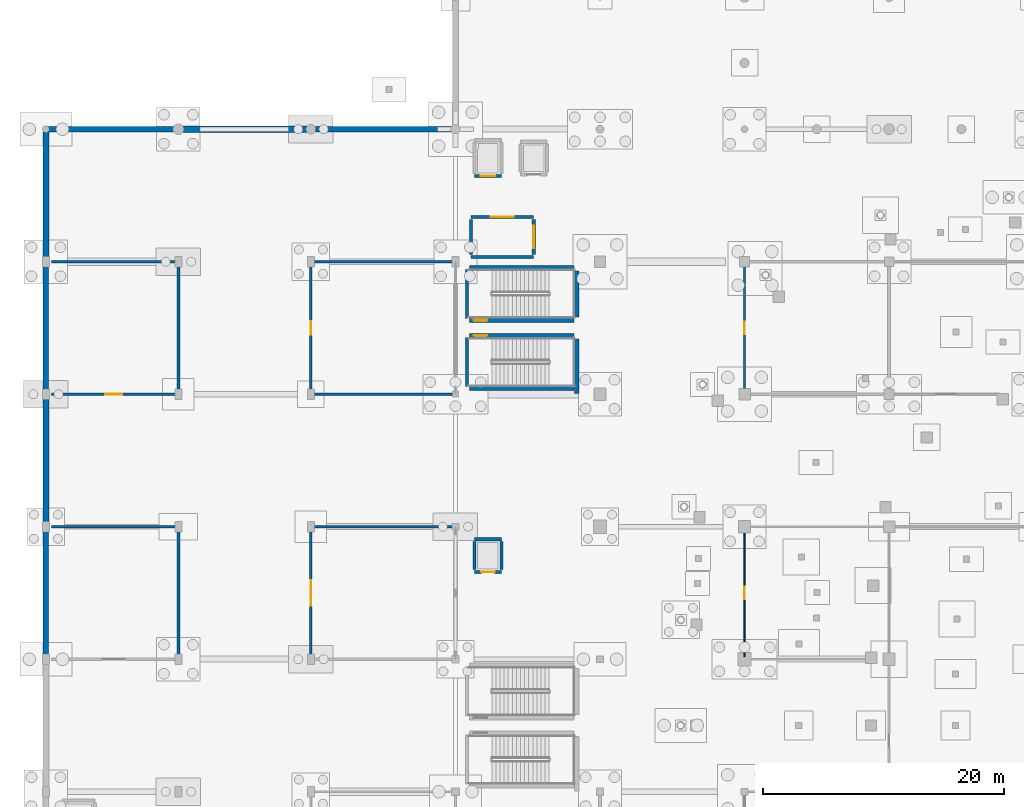
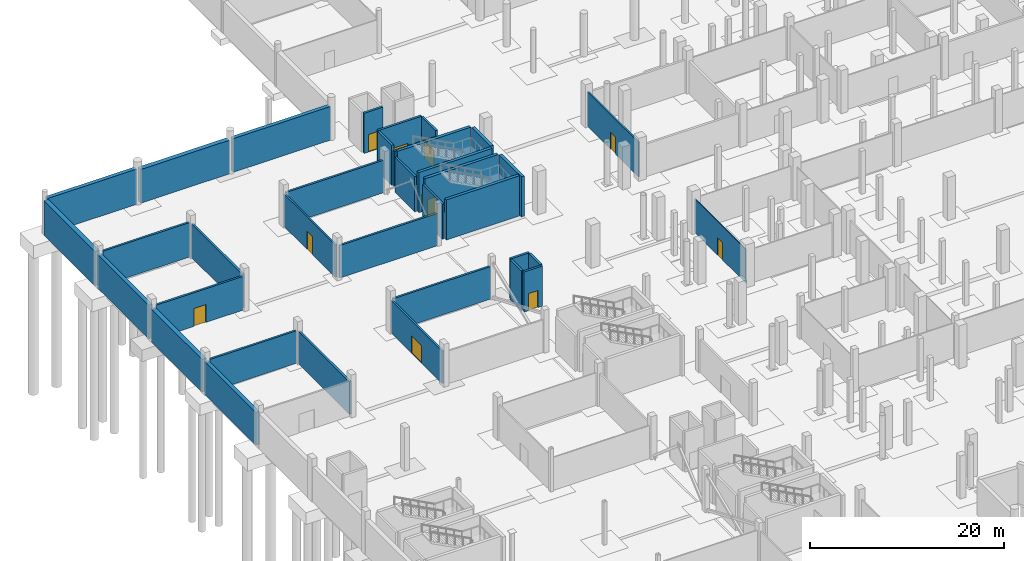
# One storey, part 33 of 60: 36 walls, 11 doors, 11 openings.
"""IFC4 building model written with IfcOpenShell, lengths in metres."""

import ifcopenshell
import ifcopenshell.guid

model = None  # the IFC model being written
_history = None  # IfcOwnerHistory: only IFC2X3 demands one
_inside = {}  # id of a spatial element -> (the spatial element, [elements in it])
_under = {}  # id of a project, library or spatial element -> (it, [spatial elements below it])
_declared = {}  # id of a project -> (the project, [libraries it declares])
_typed = {}  # id of a type object -> (the type object, [elements of that type])
_made_of = {}  # id of a material, layer set ... -> (it, [elements and type objects made of it])


def new_model(schema):
    """Start an empty IFC model of exactly this schema.

    Asked for "IFC4X3", IfcOpenShell would pick the latest addendum, in which some entities
    have other attributes; the version numbers below select the first issue.
    IFC2X3 requires an IfcOwnerHistory on every rooted entity: one is made here for all.
    """
    global model, _history
    if schema == "IFC4X3":
        model = ifcopenshell.file(schema_version=(4, 3, 0, 0))
    else:
        model = ifcopenshell.file(schema=schema)
    _inside.clear()
    _under.clear()
    _declared.clear()
    _typed.clear()
    _made_of.clear()
    _history = None
    if model.schema == "IFC2X3":
        org = make("IfcOrganization", Name="unknown")
        user = make(
            "IfcPersonAndOrganization",
            ThePerson=make("IfcPerson", FamilyName="unknown"),
            TheOrganization=org,
        )
        app = make(
            "IfcApplication",
            ApplicationDeveloper=org,
            Version="unknown",
            ApplicationFullName="unknown",
            ApplicationIdentifier="unknown",
        )
        _history = make(
            "IfcOwnerHistory",
            OwningUser=user,
            OwningApplication=app,
            ChangeAction="ADDED",
            CreationDate=0,
        )
    return model


def make(cls, **values):
    """One entity of the class cls with the attributes given. An attribute that is None is left unset."""
    return model.create_entity(
        cls, **{name: value for name, value in values.items() if value is not None}
    )


def rooted(cls, **values):
    """An entity with a GlobalId (a new one), such as an element, a storey or a relation."""
    return make(cls, GlobalId=ifcopenshell.guid.new(), OwnerHistory=_history, **values)


def si_unit(unit_type, name, prefix=None):
    """IfcSIUnit, for example si_unit("LENGTHUNIT", "METRE", prefix="MILLI")."""
    return make("IfcSIUnit", UnitType=unit_type, Prefix=prefix, Name=name)


def assignment(units):
    """IfcUnitAssignment: the units of a project."""
    return None if units is None else make("IfcUnitAssignment", Units=units)


def point(xyz):
    """IfcCartesianPoint."""
    return None if xyz is None else make("IfcCartesianPoint", Coordinates=xyz)


def direction(xyz):
    """IfcDirection."""
    return None if xyz is None else make("IfcDirection", DirectionRatios=xyz)


def frame(location, z_axis=None, x_axis=None):
    """IfcAxis2Placement3D, a coordinate frame: its origin and axes. An axis left out is left unset."""
    return make(
        "IfcAxis2Placement3D",
        Location=point(location),
        Axis=direction(z_axis),
        RefDirection=direction(x_axis),
    )


def frame_2d(location, x_axis=None):
    """IfcAxis2Placement2D, a coordinate frame in the plane: its origin and x axis."""
    return make(
        "IfcAxis2Placement2D", Location=point(location), RefDirection=direction(x_axis)
    )


def origin():
    """The frame at (0, 0, 0) with its axes left unset."""
    return frame((0.0, 0.0, 0.0))


def place(relative_to, where):
    """IfcLocalPlacement: puts the frame where relative to a parent placement (None: the world)."""
    return make(
        "IfcLocalPlacement", PlacementRelTo=relative_to, RelativePlacement=where
    )


def context(
    kind, dimensions, precision=None, world=None, true_north=None, identifier=None
):
    """IfcGeometricRepresentationContext, for example the 3D "Model" context."""
    return make(
        "IfcGeometricRepresentationContext",
        ContextIdentifier=identifier,
        ContextType=kind,
        CoordinateSpaceDimension=dimensions,
        Precision=precision,
        WorldCoordinateSystem=world,
        TrueNorth=true_north,
    )


def subcontext(parent, identifier, kind, view, scale=None):
    """IfcGeometricRepresentationSubContext, for example "Body" below "Model"."""
    return make(
        "IfcGeometricRepresentationSubContext",
        ContextIdentifier=identifier,
        ContextType=kind,
        ParentContext=parent,
        TargetScale=scale,
        TargetView=view,
    )


def project(units=None, contexts=None):
    """IfcProject with its units and contexts."""
    return rooted(
        "IfcProject",
        Name="project",
        RepresentationContexts=contexts,
        UnitsInContext=assignment(units),
    )


def spatial(cls, under=None, at=None, **own):
    """A site, building, storey or space (cls), placed at a placement, below another one or the project."""
    s = rooted(cls, ObjectPlacement=at, **own)
    if under is not None:
        _under.setdefault(under.id(), (under, []))[1].append(s)
    return s


def profile(cls, at=None, kind="AREA", **sizes):
    """A parametric profile (cls). Its sizes go by their IFC names, for example OverallWidth=200.0."""
    return make(cls, ProfileType=kind, Position=at, **sizes)


def rectangle(**sizes):
    """IfcRectangleProfileDef."""
    return profile("IfcRectangleProfileDef", **sizes)


def extrude(swept, where, along, depth):
    """IfcExtrudedAreaSolid: the profile swept, set in the frame where, extruded along a direction by depth."""
    return make(
        "IfcExtrudedAreaSolid",
        SweptArea=swept,
        Position=where,
        ExtrudedDirection=direction(along),
        Depth=depth,
    )


def shape(context_of_items, identifier, shape_type, items):
    """IfcShapeRepresentation: the items that make up one representation, for example the "Body"."""
    return make(
        "IfcShapeRepresentation",
        ContextOfItems=context_of_items,
        RepresentationIdentifier=identifier,
        RepresentationType=shape_type,
        Items=items,
    )


def material(Name=None, Category=None):
    """IfcMaterial."""
    return make("IfcMaterial", Name=Name, Category=Category)


def layer(
    of_material, thickness, ventilated=None, Name=None, Category=None, Priority=None
):
    """IfcMaterialLayer: one layer of a wall or slab, of a material (None: an air gap)."""
    return make(
        "IfcMaterialLayer",
        Material=of_material,
        LayerThickness=thickness,
        IsVentilated=ventilated,
        Name=Name,
        Category=Category,
        Priority=Priority,
    )


def layer_set(layers, Name=None):
    """IfcMaterialLayerSet."""
    return make("IfcMaterialLayerSet", MaterialLayers=layers, LayerSetName=Name)


def made_of(thing, what):
    """Note that an element or type object is made of a material, layer set ...; save() writes the relation."""
    if what is not None:
        _made_of.setdefault(what.id(), (what, []))[1].append(thing)
    return thing


def type_object(cls, material=None, **own):
    """A type object (cls), such as IfcWallType, which elements share."""
    return made_of(rooted(cls, **own), material)


def element(
    cls,
    number,
    at=None,
    inside=None,
    cuts=None,
    type_object=None,
    material=None,
    context=None,
    identifier="Body",
    shape_type=None,
    held_by="IfcProductDefinitionShape",
    body=None,
    shapes=None,
    **own,
):
    """One element of the class cls, such as IfcWall. Its Tag is "e" and its number.

    at: its placement. inside: the storey or other place that contains it. cuts: it is an
    opening in that element (IfcRelVoidsElement). A single representation is given by context,
    identifier, shape_type and body (its items); several are given by shapes. held_by: the class
    of the entity that holds the representations. save() writes the other relations.
    """
    e = rooted(cls, Tag="e%d" % number, ObjectPlacement=at, **own)
    if body is not None:
        shapes = [shape(context, identifier, shape_type, body)]
    if shapes is not None:
        e.Representation = make(held_by, Representations=shapes)
    if inside is not None:
        _inside.setdefault(inside.id(), (inside, []))[1].append(e)
    if cuts is not None:
        rooted(
            "IfcRelVoidsElement", RelatingBuildingElement=cuts, RelatedOpeningElement=e
        )
    if type_object is not None:
        _typed.setdefault(type_object.id(), (type_object, []))[1].append(e)
    return made_of(e, material)


def fill(opening, filler):
    """IfcRelFillsElement: the door or window that sits in an opening."""
    return rooted(
        "IfcRelFillsElement",
        RelatingOpeningElement=opening,
        RelatedBuildingElement=filler,
    )


def aggregate(whole, parts):
    """IfcRelAggregates: a whole, such as a stair, and the parts it consists of."""
    return rooted("IfcRelAggregates", RelatingObject=whole, RelatedObjects=parts)


def save(model, path):
    """Write the relations noted so far, then the file.

    IfcRelAggregates (storeys below a building ...), IfcRelContainedInSpatialStructure (elements
    in a storey), IfcRelDefinesByType, IfcRelAssociatesMaterial and IfcRelDeclares: one each for
    every whole, place, type object, material and project.
    """
    for whole, parts in _under.values():
        aggregate(whole, parts)
    for where, things in _inside.values():
        rooted(
            "IfcRelContainedInSpatialStructure",
            RelatedElements=things,
            RelatingStructure=where,
        )
    for kind, things in _typed.values():
        rooted("IfcRelDefinesByType", RelatedObjects=things, RelatingType=kind)
    for what, things in _made_of.values():
        rooted("IfcRelAssociatesMaterial", RelatedObjects=things, RelatingMaterial=what)
    for by, libraries in _declared.values():
        rooted("IfcRelDeclares", RelatingContext=by, RelatedDefinitions=libraries)
    model.write(path)


model = new_model("IFC4")

# Units and contexts
model_context = context("Model", 3, precision=1e-05, world=origin(), true_north=direction((0.0, 1.0)))
body_context = subcontext(model_context, "Body", "Model", "MODEL_VIEW")
ifc_project = project(units=[si_unit("LENGTHUNIT", "METRE"), si_unit("AREAUNIT", "SQUARE_METRE"), si_unit("VOLUMEUNIT", "CUBIC_METRE"), si_unit("PLANEANGLEUNIT", "RADIAN"), si_unit("MASSUNIT", "GRAM", prefix="KILO")], contexts=[model_context])

# Site, building, storey
site_placement = place(None, origin())
site = spatial("IfcSite", under=ifc_project, at=site_placement, CompositionType="ELEMENT")
building_placement = place(site_placement, origin())
building = spatial("IfcBuilding", under=site, at=building_placement, Name="Luwafu Chhajja Arena", CompositionType="ELEMENT")
storey_placement = place(building_placement, frame((0.0, 0.0, -5.39990234375)))
storey = spatial("IfcBuildingStorey", under=building, at=storey_placement, Name="B1", CompositionType="ELEMENT", Elevation=-5.39990234375)

# Wall, opening, door
ifc_material_1 = material(Name="Acoustic gypsum and mineral wool partition")
ifc_layer_1 = layer(ifc_material_1, 0.199951171875, Name="Acoustic gypsum and mineral wool partition")
ifc_layer_set_1 = layer_set([ifc_layer_1], Name="Acoustic gypsum and mineral wool partition")
wall_type_1 = type_object("IfcWallType", Name="Acoustic Broadcast Studio Partition 200", PredefinedType="PARTITIONING", material=ifc_layer_set_1)
wall_1_placement = place(storey_placement, frame((22.0, 77.219970703125, 0.0), z_axis=(0.0, 0.0, 1.0), x_axis=(0.0, 1.0, 0.0)))
wall_1 = element("IfcWall", 1, at=wall_1_placement, inside=storey, type_object=wall_type_1, Name="B1 Internal Partition 0022", PredefinedType="PARTITIONING", context=body_context, shape_type="SweptSolid", body=[
    extrude(rectangle(XDim=10.56005859375, YDim=0.199951171875, at=frame_2d((5.280029296875, 0.0))), origin(), (0.0, 0.0, 1.0), 4.079833984375),
])
opening_1_placement = place(wall_1_placement, frame((4.719970703125, 0.0, 0.0)))
opening_1 = element("IfcOpeningElement", 2, at=opening_1_placement, cuts=wall_1, Name="Opening DR-16", PredefinedType="OPENING", context=body_context, shape_type="SweptSolid", body=[
    extrude(rectangle(XDim=1.1201171875, YDim=2.25, at=frame_2d((0.56005859375, 1.125))), frame((0.0, 0.10986328125, 0.0), z_axis=(0.0, -1.0, 0.0), x_axis=(1.0, 0.0, 0.0)), (0.0, 0.0, 1.0), 0.219970703125),
])
ifc_material_2 = material(Name="Acoustic steel-core timber door", Category="steel")
door_type_1 = type_object("IfcDoorType", Name="DR-16", OperationType="NOTDEFINED", PredefinedType="DOOR", material=ifc_material_2)
door_1_placement = place(opening_1_placement, origin())
door_1 = element("IfcDoor", 3, at=door_1_placement, inside=storey, type_object=door_type_1, Name="B1 Interior Door B1-D035", OperationType="SINGLE_SWING_LEFT", OverallHeight=2.25, OverallWidth=1.1201171875, PredefinedType="DOOR", context=body_context, shape_type="SweptSolid", body=[
    extrude(rectangle(XDim=1.1201171875, YDim=2.25, at=frame_2d((0.56005859375, 1.125))), frame((0.0, 0.02490234375, 0.0), z_axis=(0.0, -1.0, 0.0), x_axis=(1.0, 0.0, 0.0)), (0.0, 0.0, 1.0), 0.050048828125),
])
fill(opening_1, door_1)

# Walls
ifc_material_3 = material(Name="Concrete blockwork masonry", Category="masonry")
ifc_layer_2 = layer(ifc_material_3, 0.239990234375, Name="Concrete blockwork masonry")
ifc_layer_set_2 = layer_set([ifc_layer_2], Name="Concrete blockwork masonry")
wall_type_2 = type_object("IfcWallType", Name="Compartment Masonry Partition 240", PredefinedType="PARTITIONING", material=ifc_layer_set_2)
wall_2_placement = place(storey_placement, frame((0.47998046875, 66.0, 0.0), z_axis=(0.0, 0.0, 1.0), x_axis=(1.0, 0.0, 0.0)))
element("IfcWall", 4, at=wall_2_placement, inside=storey, type_object=wall_type_2, Name="B1 Internal Partition 0014", PredefinedType="PARTITIONING", context=body_context, shape_type="SweptSolid", body=[
    extrude(rectangle(XDim=10.300048828125, YDim=0.239990234375, at=frame_2d((5.14990234375, 0.0))), origin(), (0.0, 0.0, 1.0), 4.079833984375),
])
wall_3_placement = place(storey_placement, frame((11.0, 55.219970703125, 0.0), z_axis=(0.0, 0.0, 1.0), x_axis=(0.0, 1.0, 0.0)))
element("IfcWall", 5, at=wall_3_placement, inside=storey, type_object=wall_type_2, Name="B1 Internal Partition 0015", PredefinedType="PARTITIONING", context=body_context, shape_type="SweptSolid", body=[
    extrude(rectangle(XDim=10.56005859375, YDim=0.239990234375, at=frame_2d((5.280029296875, 0.0))), origin(), (0.0, 0.0, 1.0), 4.079833984375),
])

# Wall, opening, door
wall_4_placement = place(storey_placement, frame((0.47998046875, 77.0, 0.0), z_axis=(0.0, 0.0, 1.0), x_axis=(1.0, 0.0, 0.0)))
wall_4 = element("IfcWall", 6, at=wall_4_placement, inside=storey, type_object=wall_type_2, Name="B1 Internal Partition 0016", PredefinedType="PARTITIONING", context=body_context, shape_type="SweptSolid", body=[
    extrude(rectangle(XDim=10.300048828125, YDim=0.239990234375, at=frame_2d((5.14990234375, 0.0))), origin(), (0.0, 0.0, 1.0), 4.22998046875),
])
opening_2_placement = place(wall_4_placement, frame((4.43994140625, 0.0, 0.0)))
opening_2 = element("IfcOpeningElement", 7, at=opening_2_placement, cuts=wall_4, Name="Opening DR-12", PredefinedType="OPENING", context=body_context, shape_type="SweptSolid", body=[
    extrude(rectangle(XDim=1.419921875, YDim=2.25, at=frame_2d((0.7099609375, 1.125))), frame((0.0, 0.1298828125, 0.0), z_axis=(0.0, -1.0, 0.0), x_axis=(1.0, 0.0, 0.0)), (0.0, 0.0, 1.0), 0.260009765625),
])
ifc_material_4 = material(Name="Powder-coated steel fire leaf", Category="steel")
door_type_2 = type_object("IfcDoorType", Name="DR-12", OperationType="NOTDEFINED", PredefinedType="DOOR", material=ifc_material_4)
door_2_placement = place(opening_2_placement, origin())
door_2 = element("IfcDoor", 8, at=door_2_placement, inside=storey, type_object=door_type_2, Name="B1 Interior Door B1-D031", OperationType="SINGLE_SWING_LEFT", OverallHeight=2.25, OverallWidth=1.419921875, PredefinedType="DOOR", context=body_context, shape_type="SweptSolid", body=[
    extrude(rectangle(XDim=1.419921875, YDim=2.25, at=frame_2d((0.7099609375, 1.125))), frame((0.0, 0.02490234375, 0.0), z_axis=(0.0, -1.0, 0.0), x_axis=(1.0, 0.0, 0.0)), (0.0, 0.0, 1.0), 0.050048828125),
])
fill(opening_2, door_2)

# Walls
wall_5_placement = place(storey_placement, frame((0.47998046875, 88.0, 0.0), z_axis=(0.0, 0.0, 1.0), x_axis=(1.0, 0.0, 0.0)))
element("IfcWall", 9, at=wall_5_placement, inside=storey, type_object=wall_type_2, Name="B1 Internal Partition 0017", PredefinedType="PARTITIONING", context=body_context, shape_type="SweptSolid", body=[
    extrude(rectangle(XDim=10.300048828125, YDim=0.239990234375, at=frame_2d((5.14990234375, 0.0))), origin(), (0.0, 0.0, 1.0), 4.329833984375),
])
wall_6_placement = place(storey_placement, frame((11.0, 77.219970703125, 0.0), z_axis=(0.0, 0.0, 1.0), x_axis=(0.0, 1.0, 0.0)))
element("IfcWall", 10, at=wall_6_placement, inside=storey, type_object=wall_type_2, Name="B1 Internal Partition 0018", PredefinedType="PARTITIONING", context=body_context, shape_type="SweptSolid", body=[
    extrude(rectangle(XDim=10.56005859375, YDim=0.239990234375, at=frame_2d((5.280029296875, 0.0))), origin(), (0.0, 0.0, 1.0), 4.22998046875),
])
wall_7_placement = place(storey_placement, frame((22.219970703125, 66.0, 0.0), z_axis=(0.0, 0.0, 1.0), x_axis=(1.0, 0.0, 0.0)))
element("IfcWall", 11, at=wall_7_placement, inside=storey, type_object=wall_type_2, Name="B1 Internal Partition 0027", PredefinedType="PARTITIONING", context=body_context, shape_type="SweptSolid", body=[
    extrude(rectangle(XDim=11.56005859375, YDim=0.239990234375, at=frame_2d((5.780029296875, 0.0))), origin(), (0.0, 0.0, 1.0), 4.079833984375),
])
wall_8_placement = place(storey_placement, frame((22.219970703125, 77.0, 0.0), z_axis=(0.0, 0.0, 1.0), x_axis=(1.0, 0.0, 0.0)))
element("IfcWall", 12, at=wall_8_placement, inside=storey, type_object=wall_type_2, Name="B1 Internal Partition 0028", PredefinedType="PARTITIONING", context=body_context, shape_type="SweptSolid", body=[
    extrude(rectangle(XDim=11.570068359375, YDim=0.239990234375, at=frame_2d((5.78515625, 0.0))), origin(), (0.0, 0.0, 1.0), 4.079833984375),
])
wall_9_placement = place(storey_placement, frame((22.219970703125, 88.0, 0.0), z_axis=(0.0, 0.0, 1.0), x_axis=(1.0, 0.0, 0.0)))
element("IfcWall", 13, at=wall_9_placement, inside=storey, type_object=wall_type_2, Name="B1 Internal Partition 0029", PredefinedType="PARTITIONING", context=body_context, shape_type="SweptSolid", body=[
    extrude(rectangle(XDim=11.56005859375, YDim=0.239990234375, at=frame_2d((5.780029296875, 0.0))), origin(), (0.0, 0.0, 1.0), 4.079833984375),
])

# Wall, opening, door
ifc_material_5 = material(Name="Gypsum plasterboard partition")
ifc_layer_3 = layer(ifc_material_5, 0.10009765625, Name="Gypsum plasterboard partition")
ifc_layer_set_3 = layer_set([ifc_layer_3], Name="Gypsum plasterboard partition")
wall_type_3 = type_object("IfcWallType", Name="Drywall Lining Partition 100", PredefinedType="PARTITIONING", material=ifc_layer_set_3)
wall_10_placement = place(storey_placement, frame((58.0, 55.219970703125, 0.0), z_axis=(0.0, 0.0, 1.0), x_axis=(0.0, 1.0, 0.0)))
wall_10 = element("IfcWall", 14, at=wall_10_placement, inside=storey, type_object=wall_type_3, Name="B1 Internal Partition 0036", PredefinedType="PARTITIONING", context=body_context, shape_type="SweptSolid", body=[
    extrude(rectangle(XDim=10.56005859375, YDim=0.10009765625, at=frame_2d((5.280029296875, 0.0))), origin(), (0.0, 0.0, 1.0), 4.22998046875),
])
opening_3_placement = place(wall_10_placement, frame((4.760009765625, 0.0, 0.0)))
opening_3 = element("IfcOpeningElement", 15, at=opening_3_placement, cuts=wall_10, Name="Opening DR-28", PredefinedType="OPENING", context=body_context, shape_type="SweptSolid", body=[
    extrude(rectangle(XDim=1.0400390625, YDim=2.14990234375, at=frame_2d((0.52001953125, 1.074951171875))), frame((0.0, 0.06005859375, 0.0), z_axis=(0.0, -1.0, 0.0), x_axis=(1.0, 0.0, 0.0)), (0.0, 0.0, 1.0), 0.1201171875),
])
ifc_material_6 = material(Name="Moisture-resistant laminate leaf")
door_type_3 = type_object("IfcDoorType", Name="DR-28", OperationType="NOTDEFINED", PredefinedType="DOOR", material=ifc_material_6)
door_3_placement = place(opening_3_placement, origin())
door_3 = element("IfcDoor", 16, at=door_3_placement, inside=storey, type_object=door_type_3, Name="B1 Interior Door B1-D041", OperationType="SINGLE_SWING_RIGHT", OverallHeight=2.14990234375, OverallWidth=1.0400390625, PredefinedType="DOOR", context=body_context, shape_type="SweptSolid", body=[
    extrude(rectangle(XDim=1.0400390625, YDim=2.14990234375, at=frame_2d((0.52001953125, 1.074951171875))), frame((0.0, 0.02490234375, 0.0), z_axis=(0.0, -1.0, 0.0), x_axis=(1.0, 0.0, 0.0)), (0.0, 0.0, 1.0), 0.050048828125),
])
fill(opening_3, door_3)

ifc_material_7 = material(Name="Concrete C40/50", Category="concrete")
ifc_layer_4 = layer(ifc_material_7, 0.260009765625, Name="Concrete C40/50")
ifc_layer_set_4 = layer_set([ifc_layer_4], Name="Concrete C40/50")
wall_type_4 = type_object("IfcWallType", Name="Firefighting Lobby Wall 260", PredefinedType="SOLIDWALL", material=ifc_layer_set_4)
wall_11_placement = place(storey_placement, frame((35.300048828125, 91.699951171875, 0.0), z_axis=(0.0, 0.0, 1.0), x_axis=(1.0, 0.0, 0.0)))
wall_11 = element("IfcWall", 17, at=wall_11_placement, inside=storey, type_object=wall_type_4, Name="B1 Core C3 Firefighting Lobby Wall N", PredefinedType="SOLIDWALL", context=body_context, shape_type="SweptSolid", body=[
    extrude(rectangle(XDim=5.199951171875, YDim=0.260009765625, at=frame_2d((2.60009765625, 0.0))), origin(), (0.0, 0.0, 1.0), 5.039794921875),
])
opening_4_placement = place(wall_11_placement, frame((1.64990234375, 0.0, 0.0)))
opening_4 = element("IfcOpeningElement", 18, at=opening_4_placement, cuts=wall_11, Name="Opening DR-07", PredefinedType="OPENING", context=body_context, shape_type="SweptSolid", body=[
    extrude(rectangle(XDim=1.89990234375, YDim=2.199951171875, at=frame_2d((0.949951171875, 1.10009765625))), frame((0.0, 0.139892578125, 0.0), z_axis=(0.0, -1.0, 0.0), x_axis=(1.0, 0.0, 0.0)), (0.0, 0.0, 1.0), 0.280029296875),
])
ifc_material_8 = material(Name="Fire-rated hardwood and vision panel", Category="wood")
door_type_4 = type_object("IfcDoorType", Name="DR-07", OperationType="DOUBLE_DOOR_SINGLE_SWING", PredefinedType="DOOR", material=ifc_material_8)
door_4_placement = place(opening_4_placement, origin())
door_4 = element("IfcDoor", 19, at=door_4_placement, inside=storey, type_object=door_type_4, Name="B1 Firefighting Lobby C3 Door B1-D011", OperationType="DOUBLE_DOOR_SINGLE_SWING", OverallHeight=2.199951171875, OverallWidth=1.89990234375, PredefinedType="DOOR", context=body_context, shape_type="SweptSolid", body=[
    extrude(rectangle(XDim=1.89990234375, YDim=2.199951171875, at=frame_2d((0.949951171875, 1.10009765625))), frame((0.0, 0.02490234375, 0.0), z_axis=(0.0, -1.0, 0.0), x_axis=(1.0, 0.0, 0.0)), (0.0, 0.0, 1.0), 0.050048828125),
])
fill(opening_4, door_4)

# Walls
wall_12_placement = place(storey_placement, frame((35.300048828125, 88.39990234375, 0.0), z_axis=(0.0, 0.0, 1.0), x_axis=(1.0, 0.0, 0.0)))
element("IfcWall", 20, at=wall_12_placement, inside=storey, type_object=wall_type_4, Name="B1 Core C3 Firefighting Lobby Wall S", PredefinedType="SOLIDWALL", context=body_context, shape_type="SweptSolid", body=[
    extrude(rectangle(XDim=5.199951171875, YDim=0.260009765625, at=frame_2d((2.60009765625, 0.0))), origin(), (0.0, 0.0, 1.0), 4.40966796875),
])
wall_13_placement = place(storey_placement, frame((35.300048828125, 88.60009765625, 0.0), z_axis=(0.0, 0.0, 1.0), x_axis=(0.0, 1.0, 0.0)))
element("IfcWall", 21, at=wall_13_placement, inside=storey, type_object=wall_type_4, Name="B1 Core C3 Firefighting Lobby Wall W", PredefinedType="SOLIDWALL", context=body_context, shape_type="SweptSolid", body=[
    extrude(rectangle(XDim=2.89990234375, YDim=0.260009765625, at=frame_2d((1.449951171875, 0.0))), origin(), (0.0, 0.0, 1.0), 5.039794921875),
])

# Wall, opening, door
wall_14_placement = place(storey_placement, frame((40.5, 88.60009765625, 0.0), z_axis=(0.0, 0.0, 1.0), x_axis=(0.0, 1.0, 0.0)))
wall_14 = element("IfcWall", 22, at=wall_14_placement, inside=storey, type_object=wall_type_4, Name="B1 Core C3 Firefighting Lobby Wall E", PredefinedType="SOLIDWALL", context=body_context, shape_type="SweptSolid", body=[
    extrude(rectangle(XDim=2.89990234375, YDim=0.260009765625, at=frame_2d((1.449951171875, 0.0))), origin(), (0.0, 0.0, 1.0), 5.039794921875),
])
opening_5_placement = place(wall_14_placement, frame((0.5, 0.0, 0.0)))
opening_5 = element("IfcOpeningElement", 23, at=opening_5_placement, cuts=wall_14, Name="Opening DR-07", PredefinedType="OPENING", context=body_context, shape_type="SweptSolid", body=[
    extrude(rectangle(XDim=1.89990234375, YDim=2.199951171875, at=frame_2d((0.949951171875, 1.10009765625))), frame((0.0, 0.139892578125, 0.0), z_axis=(0.0, -1.0, 0.0), x_axis=(1.0, 0.0, 0.0)), (0.0, 0.0, 1.0), 0.280029296875),
])
door_5_placement = place(opening_5_placement, origin())
door_5 = element("IfcDoor", 24, at=door_5_placement, inside=storey, type_object=door_type_4, Name="B1 Firefighting Lobby C3 Door B1-D012", OperationType="DOUBLE_DOOR_SINGLE_SWING", OverallHeight=2.199951171875, OverallWidth=1.89990234375, PredefinedType="DOOR", context=body_context, shape_type="SweptSolid", body=[
    extrude(rectangle(XDim=1.89990234375, YDim=2.199951171875, at=frame_2d((0.949951171875, 1.10009765625))), frame((0.0, 0.02490234375, 0.0), z_axis=(0.0, -1.0, 0.0), x_axis=(1.0, 0.0, 0.0)), (0.0, 0.0, 1.0), 0.050048828125),
])
fill(opening_5, door_5)

ifc_layer_5 = layer(ifc_material_3, 0.179931640625, Name="Concrete blockwork masonry")
ifc_layer_set_5 = layer_set([ifc_layer_5], Name="Concrete blockwork masonry")
wall_type_5 = type_object("IfcWallType", Name="Hospitality Suite Partition 180", PredefinedType="PARTITIONING", material=ifc_layer_set_5)
wall_15_placement = place(storey_placement, frame((58.0, 77.219970703125, 0.0), z_axis=(0.0, 0.0, 1.0), x_axis=(0.0, 1.0, 0.0)))
wall_15 = element("IfcWall", 25, at=wall_15_placement, inside=storey, type_object=wall_type_5, Name="B1 Internal Partition 0037", PredefinedType="PARTITIONING", context=body_context, shape_type="SweptSolid", body=[
    extrude(rectangle(XDim=10.56005859375, YDim=0.179931640625, at=frame_2d((5.280029296875, 0.0))), origin(), (0.0, 0.0, 1.0), 4.346435546875),
])
opening_6_placement = place(wall_15_placement, frame((4.780029296875, 0.0, 0.0)))
opening_6 = element("IfcOpeningElement", 26, at=opening_6_placement, cuts=wall_15, Name="Opening DR-18", PredefinedType="OPENING", context=body_context, shape_type="SweptSolid", body=[
    extrude(rectangle(XDim=1.0, YDim=2.14990234375, at=frame_2d((0.5, 1.074951171875))), frame((0.0, 0.099853515625, 0.0), z_axis=(0.0, -1.0, 0.0), x_axis=(1.0, 0.0, 0.0)), (0.0, 0.0, 1.0), 0.199951171875),
])
ifc_material_9 = material(Name="Solid-core moisture-resistant laminate leaf")
door_type_5 = type_object("IfcDoorType", Name="DR-18", OperationType="NOTDEFINED", PredefinedType="DOOR", material=ifc_material_9)
door_6_placement = place(opening_6_placement, origin())
door_6 = element("IfcDoor", 27, at=door_6_placement, inside=storey, type_object=door_type_5, Name="B1 Interior Door B1-D042", OperationType="SINGLE_SWING_LEFT", OverallHeight=2.14990234375, OverallWidth=1.0, PredefinedType="DOOR", context=body_context, shape_type="SweptSolid", body=[
    extrude(rectangle(XDim=1.0, YDim=2.14990234375, at=frame_2d((0.5, 1.074951171875))), frame((0.0, 0.02490234375, 0.0), z_axis=(0.0, -1.0, 0.0), x_axis=(1.0, 0.0, 0.0)), (0.0, 0.0, 1.0), 0.050048828125),
])
fill(opening_6, door_6)

ifc_material_10 = material(Name="Concrete C35/45", Category="concrete")
ifc_layer_6 = layer(ifc_material_10, 0.260009765625, Name="Concrete C35/45")
ifc_layer_set_6 = layer_set([ifc_layer_6], Name="Concrete C35/45")
wall_type_6 = type_object("IfcWallType", Name="Lift and Riser Shaft Wall 260", PredefinedType="SOLIDWALL", material=ifc_layer_set_6)
wall_16_placement = place(storey_placement, frame((35.590087890625, 95.114990234375, 0.0), z_axis=(0.0, 0.0, 1.0), x_axis=(1.0, 0.0, 0.0)))
wall_16 = element("IfcWall", 28, at=wall_16_placement, inside=storey, type_object=wall_type_6, Name="B1 Lift LF-03 Shaft Wall S", PredefinedType="SOLIDWALL", context=body_context, shape_type="SweptSolid", body=[
    extrude(rectangle(XDim=2.219970703125, YDim=0.260009765625, at=frame_2d((1.10986328125, 0.0))), origin(), (0.0, 0.0, 1.0), 5.039794921875),
])
opening_7_placement = place(wall_16_placement, frame((0.510009765625, 0.0, 0.0)))
opening_7 = element("IfcOpeningElement", 29, at=opening_7_placement, cuts=wall_16, Name="Opening LD-02", PredefinedType="OPENING", context=body_context, shape_type="SweptSolid", body=[
    extrude(rectangle(XDim=1.199951171875, YDim=2.199951171875, at=frame_2d((0.60009765625, 1.10009765625))), frame((0.0, 0.139892578125, 0.0), z_axis=(0.0, -1.0, 0.0), x_axis=(1.0, 0.0, 0.0)), (0.0, 0.0, 1.0), 0.280029296875),
])
ifc_material_11 = material(Name="Brushed stainless steel sliding leaves", Category="steel")
door_type_6 = type_object("IfcDoorType", Name="LD-02", OperationType="SLIDING_TO_LEFT", PredefinedType="DOOR", material=ifc_material_11)
door_7_placement = place(opening_7_placement, origin())
door_7 = element("IfcDoor", 30, at=door_7_placement, inside=storey, type_object=door_type_6, Name="B1 Lift LF-03 Landing Door B1-LD05", OperationType="SLIDING_TO_LEFT", OverallHeight=2.199951171875, OverallWidth=1.199951171875, PredefinedType="DOOR", context=body_context, shape_type="SweptSolid", body=[
    extrude(rectangle(XDim=1.199951171875, YDim=2.199951171875, at=frame_2d((0.60009765625, 1.10009765625))), frame((0.0, 0.02490234375, 0.0), z_axis=(0.0, -1.0, 0.0), x_axis=(1.0, 0.0, 0.0)), (0.0, 0.0, 1.0), 0.050048828125),
])
fill(opening_7, door_7)

wall_17_placement = place(storey_placement, frame((35.590087890625, 62.239990234375, 0.0), z_axis=(0.0, 0.0, 1.0), x_axis=(1.0, 0.0, 0.0)))
wall_17 = element("IfcWall", 31, at=wall_17_placement, inside=storey, type_object=wall_type_6, Name="B1 Lift LF-09 Shaft Wall S", PredefinedType="SOLIDWALL", context=body_context, shape_type="SweptSolid", body=[
    extrude(rectangle(XDim=2.219970703125, YDim=0.260009765625, at=frame_2d((1.10986328125, 0.0))), origin(), (0.0, 0.0, 1.0), 5.039794921875),
])
opening_8_placement = place(wall_17_placement, frame((0.56005859375, 0.0, 0.0)))
opening_8 = element("IfcOpeningElement", 32, at=opening_8_placement, cuts=wall_17, Name="Opening LD-01", PredefinedType="OPENING", context=body_context, shape_type="SweptSolid", body=[
    extrude(rectangle(XDim=1.10009765625, YDim=2.14990234375, at=frame_2d((0.550048828125, 1.074951171875))), frame((0.0, 0.139892578125, 0.0), z_axis=(0.0, -1.0, 0.0), x_axis=(1.0, 0.0, 0.0)), (0.0, 0.0, 1.0), 0.280029296875),
])
door_type_7 = type_object("IfcDoorType", Name="LD-01", OperationType="SLIDING_TO_LEFT", PredefinedType="DOOR", material=ifc_material_11)
door_8_placement = place(opening_8_placement, origin())
door_8 = element("IfcDoor", 33, at=door_8_placement, inside=storey, type_object=door_type_7, Name="B1 Lift LF-09 Landing Door B1-LD09", OperationType="SLIDING_TO_LEFT", OverallHeight=2.14990234375, OverallWidth=1.10009765625, PredefinedType="DOOR", context=body_context, shape_type="SweptSolid", body=[
    extrude(rectangle(XDim=1.10009765625, YDim=2.14990234375, at=frame_2d((0.550048828125, 1.074951171875))), frame((0.0, 0.02490234375, 0.0), z_axis=(0.0, -1.0, 0.0), x_axis=(1.0, 0.0, 0.0)), (0.0, 0.0, 1.0), 0.050048828125),
])
fill(opening_8, door_8)

# Walls
wall_18_placement = place(storey_placement, frame((35.590087890625, 64.9599609375, 0.0), z_axis=(0.0, 0.0, 1.0), x_axis=(1.0, 0.0, 0.0)))
element("IfcWall", 34, at=wall_18_placement, inside=storey, type_object=wall_type_6, Name="B1 Lift LF-09 Shaft Wall N", PredefinedType="SOLIDWALL", context=body_context, shape_type="SweptSolid", body=[
    extrude(rectangle(XDim=2.219970703125, YDim=0.260009765625, at=frame_2d((1.10986328125, 0.0))), origin(), (0.0, 0.0, 1.0), 5.039794921875),
])
for number, where, z_axis, x_axis, name in (
    (35, (35.590087890625, 62.43994140625, 0.0), (0.0, 0.0, 1.0), (0.0, 1.0, 0.0), "B1 Lift LF-09 Shaft Wall W"),
    (36, (37.81005859375, 62.43994140625, 0.0), (0.0, 0.0, 1.0), (0.0, 1.0, 0.0), "B1 Lift LF-09 Shaft Wall E"),
):
    element("IfcWall", number, at=place(storey_placement, frame(where, z_axis=z_axis, x_axis=x_axis)), inside=storey, type_object=wall_type_6, Name=name, PredefinedType="SOLIDWALL", context=body_context, shape_type="SweptSolid", body=[
        extrude(rectangle(XDim=2.320068359375, YDim=0.260009765625, at=frame_2d((1.16015625, 0.0))), origin(), (0.0, 0.0, 1.0), 5.039794921875),
    ])

# Wall, opening, door
ifc_layer_7 = layer(ifc_material_3, 0.219970703125, Name="Concrete blockwork masonry")
ifc_layer_set_7 = layer_set([ifc_layer_7], Name="Concrete blockwork masonry")
wall_type_7 = type_object("IfcWallType", Name="Protected Corridor Partition 220", PredefinedType="PARTITIONING", material=ifc_layer_set_7)
wall_19_placement = place(storey_placement, frame((22.0, 55.219970703125, 0.0), z_axis=(0.0, 0.0, 1.0), x_axis=(0.0, 1.0, 0.0)))
wall_19 = element("IfcWall", 37, at=wall_19_placement, inside=storey, type_object=wall_type_7, Name="B1 Internal Partition 0021", PredefinedType="PARTITIONING", context=body_context, shape_type="SweptSolid", body=[
    extrude(rectangle(XDim=10.56005859375, YDim=0.219970703125, at=frame_2d((5.280029296875, 0.0))), origin(), (0.0, 0.0, 1.0), 4.079833984375),
])
opening_9_placement = place(wall_19_placement, frame((4.22998046875, 0.0, 0.0)))
opening_9 = element("IfcOpeningElement", 38, at=opening_9_placement, cuts=wall_19, Name="Opening DR-05", PredefinedType="OPENING", context=body_context, shape_type="SweptSolid", body=[
    extrude(rectangle(XDim=2.10009765625, YDim=2.199951171875, at=frame_2d((1.050048828125, 1.10009765625))), frame((0.0, 0.119873046875, 0.0), z_axis=(0.0, -1.0, 0.0), x_axis=(1.0, 0.0, 0.0)), (0.0, 0.0, 1.0), 0.239990234375),
])
ifc_material_12 = material(Name="Fire-rated hardwood and steel core", Category="steel")
door_type_8 = type_object("IfcDoorType", Name="DR-05", OperationType="DOUBLE_DOOR_SINGLE_SWING", PredefinedType="DOOR", material=ifc_material_12)
door_9_placement = place(opening_9_placement, origin())
door_9 = element("IfcDoor", 39, at=door_9_placement, inside=storey, type_object=door_type_8, Name="B1 Interior Door B1-D034", OperationType="DOUBLE_DOOR_SINGLE_SWING", OverallHeight=2.199951171875, OverallWidth=2.10009765625, PredefinedType="DOOR", context=body_context, shape_type="SweptSolid", body=[
    extrude(rectangle(XDim=2.10009765625, YDim=2.199951171875, at=frame_2d((1.050048828125, 1.10009765625))), frame((0.0, 0.02490234375, 0.0), z_axis=(0.0, -1.0, 0.0), x_axis=(1.0, 0.0, 0.0)), (0.0, 0.0, 1.0), 0.050048828125),
])
fill(opening_9, door_9)

# Walls
ifc_layer_8 = layer(ifc_material_7, 0.43994140625, Name="Concrete C40/50")
ifc_layer_set_8 = layer_set([ifc_layer_8], Name="Concrete C40/50")
wall_type_8 = type_object("IfcWallType", Name="RC Basement Retaining Wall 440", PredefinedType="SOLIDWALL", material=ifc_layer_set_8)
wall_20_placement = place(storey_placement, frame((0.0, 55.219970703125, 0.0), z_axis=(0.0, 0.0, 1.0), x_axis=(0.0, 1.0, 0.0)))
element("IfcWall", 40, at=wall_20_placement, inside=storey, type_object=wall_type_8, Name="B1 Exterior Wall WEX-B1-007", PredefinedType="SOLIDWALL", context=body_context, shape_type="SweptSolid", body=[
    extrude(rectangle(XDim=10.56005859375, YDim=0.43994140625, at=frame_2d((5.280029296875, 0.0))), origin(), (0.0, 0.0, 1.0), 4.1298828125),
])
wall_21_placement = place(storey_placement, frame((0.0, 77.219970703125, 0.0), z_axis=(0.0, 0.0, 1.0), x_axis=(0.0, 1.0, 0.0)))
element("IfcWall", 41, at=wall_21_placement, inside=storey, type_object=wall_type_8, Name="B1 Exterior Wall WEX-B1-009", PredefinedType="SOLIDWALL", context=body_context, shape_type="SweptSolid", body=[
    extrude(rectangle(XDim=10.56005859375, YDim=0.43994140625, at=frame_2d((5.280029296875, 0.0))), origin(), (0.0, 0.0, 1.0), 4.22998046875),
])
wall_22_placement = place(storey_placement, frame((0.219970703125, 99.0, 0.0), z_axis=(0.0, 0.0, 1.0), x_axis=(1.0, 0.0, 0.0)))
element("IfcWall", 42, at=wall_22_placement, inside=storey, type_object=wall_type_8, Name="B1 Exterior Wall WEX-B1-010", PredefinedType="SOLIDWALL", context=body_context, shape_type="SweptSolid", body=[
    extrude(rectangle(XDim=10.56005859375, YDim=0.43994140625, at=frame_2d((5.280029296875, 0.0))), origin(), (0.0, 0.0, 1.0), 4.429931640625),
])
wall_23_placement = place(storey_placement, frame((22.219970703125, 99.0, 0.0), z_axis=(0.0, 0.0, 1.0), x_axis=(1.0, 0.0, 0.0)))
element("IfcWall", 43, at=wall_23_placement, inside=storey, type_object=wall_type_8, Name="B1 Exterior Wall WEX-B1-015", PredefinedType="SOLIDWALL", context=body_context, shape_type="SweptSolid", body=[
    extrude(rectangle(XDim=11.56005859375, YDim=0.43994140625, at=frame_2d((5.780029296875, 0.0))), origin(), (0.0, 0.0, 1.0), 4.22998046875),
])
ifc_layer_9 = layer(ifc_material_7, 0.52001953125, Name="Concrete C40/50")
ifc_layer_set_9 = layer_set([ifc_layer_9], Name="Concrete C40/50")
wall_type_9 = type_object("IfcWallType", Name="RC Basement Retaining Wall 520", PredefinedType="SOLIDWALL", material=ifc_layer_set_9)
wall_24_placement = place(storey_placement, frame((0.0, 66.219970703125, 0.0), z_axis=(0.0, 0.0, 1.0), x_axis=(0.0, 1.0, 0.0)))
element("IfcWall", 44, at=wall_24_placement, inside=storey, type_object=wall_type_9, Name="B1 Exterior Wall WEX-B1-008", PredefinedType="SOLIDWALL", context=body_context, shape_type="SweptSolid", body=[
    extrude(rectangle(XDim=10.56005859375, YDim=0.52001953125, at=frame_2d((5.280029296875, 0.0))), origin(), (0.0, 0.0, 1.0), 4.1298828125),
])
wall_25_placement = place(storey_placement, frame((0.0, 88.219970703125, 0.0), z_axis=(0.0, 0.0, 1.0), x_axis=(0.0, 1.0, 0.0)))
element("IfcWall", 45, at=wall_25_placement, inside=storey, type_object=wall_type_9, Name="B1 Exterior Wall WEX-B1-011", PredefinedType="SOLIDWALL", context=body_context, shape_type="SweptSolid", body=[
    extrude(rectangle(XDim=10.56005859375, YDim=0.52001953125, at=frame_2d((5.280029296875, 0.0))), origin(), (0.0, 0.0, 1.0), 4.329833984375),
])
wall_26_placement = place(storey_placement, frame((11.219970703125, 99.0, 0.0), z_axis=(0.0, 0.0, 1.0), x_axis=(1.0, 0.0, 0.0)))
element("IfcWall", 46, at=wall_26_placement, inside=storey, type_object=wall_type_9, Name="B1 Exterior Wall WEX-B1-013", PredefinedType="SOLIDWALL", context=body_context, shape_type="SweptSolid", body=[
    extrude(rectangle(XDim=10.56005859375, YDim=0.52001953125, at=frame_2d((5.280029296875, 0.0))), origin(), (0.0, 0.0, 1.0), 4.22998046875),
])
ifc_layer_10 = layer(ifc_material_7, 0.35009765625, Name="Concrete C40/50")
ifc_layer_set_10 = layer_set([ifc_layer_10], Name="Concrete C40/50")
wall_type_10 = type_object("IfcWallType", Name="RC Core Shear Wall 350", PredefinedType="SOLIDWALL", material=ifc_layer_set_10)
wall_27_placement = place(storey_placement, frame((44.072021484375, 77.050048828125, 0.0), z_axis=(0.0, 0.0, 1.0), x_axis=(0.0, 1.0, 0.0)))
element("IfcWall", 47, at=wall_27_placement, inside=storey, type_object=wall_type_10, Name="B1 Stair ST-05 Core Shear Wall E", PredefinedType="SOLIDWALL", context=body_context, shape_type="SweptSolid", body=[
    extrude(rectangle(XDim=4.5400390625, YDim=0.35009765625, at=frame_2d((2.27001953125, 0.0))), origin(), (0.0, 0.0, 1.0), 5.039794921875),
])
wall_28_placement = place(storey_placement, frame((35.14990234375, 77.47802734375, 0.0), z_axis=(0.0, 0.0, 1.0), x_axis=(1.0, 0.0, 0.0)))
element("IfcWall", 48, at=wall_28_placement, inside=storey, type_object=wall_type_10, Name="B1 Stair ST-05 Core Shear Wall S", PredefinedType="SOLIDWALL", context=body_context, shape_type="SweptSolid", body=[
    extrude(rectangle(XDim=8.7001953125, YDim=0.35009765625, at=frame_2d((4.35009765625, 0.0))), origin(), (0.0, 0.0, 1.0), 5.039794921875),
])

# Wall, opening, door
wall_29_placement = place(storey_placement, frame((35.14990234375, 81.862060546875, 0.0), z_axis=(0.0, 0.0, 1.0), x_axis=(1.0, 0.0, 0.0)))
wall_29 = element("IfcWall", 49, at=wall_29_placement, inside=storey, type_object=wall_type_10, Name="B1 Stair ST-05 Core Shear Wall N", PredefinedType="SOLIDWALL", context=body_context, shape_type="SweptSolid", body=[
    extrude(rectangle(XDim=8.7001953125, YDim=0.35009765625, at=frame_2d((4.35009765625, 0.0))), origin(), (0.0, 0.0, 1.0), 5.039794921875),
])
opening_10_placement = place(wall_29_placement, frame((0.35009765625, 0.0, 0.0)))
opening_10 = element("IfcOpeningElement", 50, at=opening_10_placement, cuts=wall_29, Name="Opening DR-06", PredefinedType="OPENING", context=body_context, shape_type="SweptSolid", body=[
    extrude(rectangle(XDim=1.14990234375, YDim=2.199951171875, at=frame_2d((0.574951171875, 1.10009765625))), frame((0.0, 0.18505859375, 0.0), z_axis=(0.0, -1.0, 0.0), x_axis=(1.0, 0.0, 0.0)), (0.0, 0.0, 1.0), 0.3701171875),
])
door_type_9 = type_object("IfcDoorType", Name="DR-06", OperationType="NOTDEFINED", PredefinedType="DOOR", material=ifc_material_12)
door_10_placement = place(opening_10_placement, origin())
door_10 = element("IfcDoor", 51, at=door_10_placement, inside=storey, type_object=door_type_9, Name="B1 Escape Stair ST-05 Fire Door B1-D009", OperationType="SINGLE_SWING_RIGHT", OverallHeight=2.199951171875, OverallWidth=1.14990234375, PredefinedType="DOOR", context=body_context, shape_type="SweptSolid", body=[
    extrude(rectangle(XDim=1.14990234375, YDim=2.199951171875, at=frame_2d((0.574951171875, 1.10009765625))), frame((0.0, 0.02490234375, 0.0), z_axis=(0.0, -1.0, 0.0), x_axis=(1.0, 0.0, 0.0)), (0.0, 0.0, 1.0), 0.050048828125),
])
fill(opening_10, door_10)

# Wall
wall_30_placement = place(storey_placement, frame((44.072021484375, 83.409912109375, 0.0), z_axis=(0.0, 0.0, 1.0), x_axis=(0.0, 1.0, 0.0)))
element("IfcWall", 52, at=wall_30_placement, inside=storey, type_object=wall_type_10, Name="B1 Stair ST-06 Core Shear Wall E", PredefinedType="SOLIDWALL", context=body_context, shape_type="SweptSolid", body=[
    extrude(rectangle(XDim=3.840087890625, YDim=0.35009765625, at=frame_2d((1.919921875, 0.0))), origin(), (0.0, 0.0, 1.0), 5.039794921875),
])

# Wall, opening, door
wall_31_placement = place(storey_placement, frame((35.14990234375, 83.137939453125, 0.0), z_axis=(0.0, 0.0, 1.0), x_axis=(1.0, 0.0, 0.0)))
wall_31 = element("IfcWall", 53, at=wall_31_placement, inside=storey, type_object=wall_type_10, Name="B1 Stair ST-06 Core Shear Wall S", PredefinedType="SOLIDWALL", context=body_context, shape_type="SweptSolid", body=[
    extrude(rectangle(XDim=8.7001953125, YDim=0.35009765625, at=frame_2d((4.35009765625, 0.0))), origin(), (0.0, 0.0, 1.0), 5.039794921875),
])
opening_11_placement = place(wall_31_placement, frame((0.35009765625, 0.0, 0.0)))
opening_11 = element("IfcOpeningElement", 54, at=opening_11_placement, cuts=wall_31, Name="Opening DR-06", PredefinedType="OPENING", context=body_context, shape_type="SweptSolid", body=[
    extrude(rectangle(XDim=1.14990234375, YDim=2.199951171875, at=frame_2d((0.574951171875, 1.10009765625))), frame((0.0, 0.18505859375, 0.0), z_axis=(0.0, -1.0, 0.0), x_axis=(1.0, 0.0, 0.0)), (0.0, 0.0, 1.0), 0.3701171875),
])
door_11_placement = place(opening_11_placement, origin())
door_11 = element("IfcDoor", 55, at=door_11_placement, inside=storey, type_object=door_type_9, Name="B1 Escape Stair ST-06 Fire Door B1-D010", OperationType="SINGLE_SWING_LEFT", OverallHeight=2.199951171875, OverallWidth=1.14990234375, PredefinedType="DOOR", context=body_context, shape_type="SweptSolid", body=[
    extrude(rectangle(XDim=1.14990234375, YDim=2.199951171875, at=frame_2d((0.574951171875, 1.10009765625))), frame((0.0, 0.02490234375, 0.0), z_axis=(0.0, -1.0, 0.0), x_axis=(1.0, 0.0, 0.0)), (0.0, 0.0, 1.0), 0.050048828125),
])
fill(opening_11, door_11)

# Walls
wall_32_placement = place(storey_placement, frame((35.14990234375, 87.52197265625, 0.0), z_axis=(0.0, 0.0, 1.0), x_axis=(1.0, 0.0, 0.0)))
element("IfcWall", 56, at=wall_32_placement, inside=storey, type_object=wall_type_10, Name="B1 Stair ST-06 Core Shear Wall N", PredefinedType="SOLIDWALL", context=body_context, shape_type="SweptSolid", body=[
    extrude(rectangle(XDim=8.7001953125, YDim=0.35009765625, at=frame_2d((4.35009765625, 0.0))), origin(), (0.0, 0.0, 1.0), 5.039794921875),
])
ifc_layer_11 = layer(ifc_material_10, 0.22998046875, Name="Concrete C35/45")
ifc_layer_set_11 = layer_set([ifc_layer_11], Name="Concrete C35/45")
wall_type_11 = type_object("IfcWallType", Name="Stair Enclosure Wall 230", PredefinedType="SOLIDWALL", material=ifc_layer_set_11)
for number, where, z_axis, x_axis, name in (
    (57, (34.9599609375, 77.6298828125, 0.0), (0.0, 0.0, 1.0), (0.0, 1.0, 0.0), "B1 Stair ST-05 Enclosure Wall W"),
    (58, (34.9599609375, 83.2900390625, 0.0), (0.0, 0.0, 1.0), (0.0, 1.0, 0.0), "B1 Stair ST-06 Enclosure Wall W"),
):
    element("IfcWall", number, at=place(storey_placement, frame(where, z_axis=z_axis, x_axis=x_axis)), inside=storey, type_object=wall_type_11, Name=name, PredefinedType="SOLIDWALL", context=body_context, shape_type="SweptSolid", body=[
        extrude(rectangle(XDim=4.080078125, YDim=0.22998046875, at=frame_2d((2.0400390625, 0.0))), origin(), (0.0, 0.0, 1.0), 4.429931640625),
    ])

save(model, "model.ifc")
